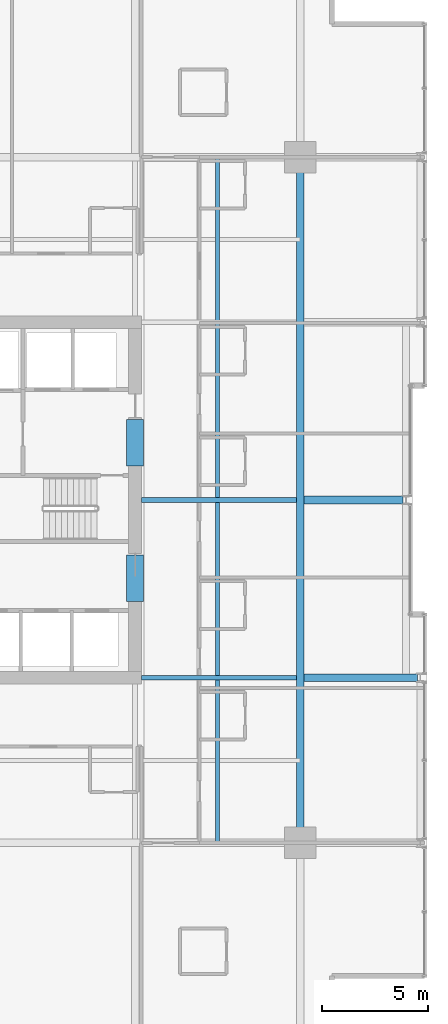
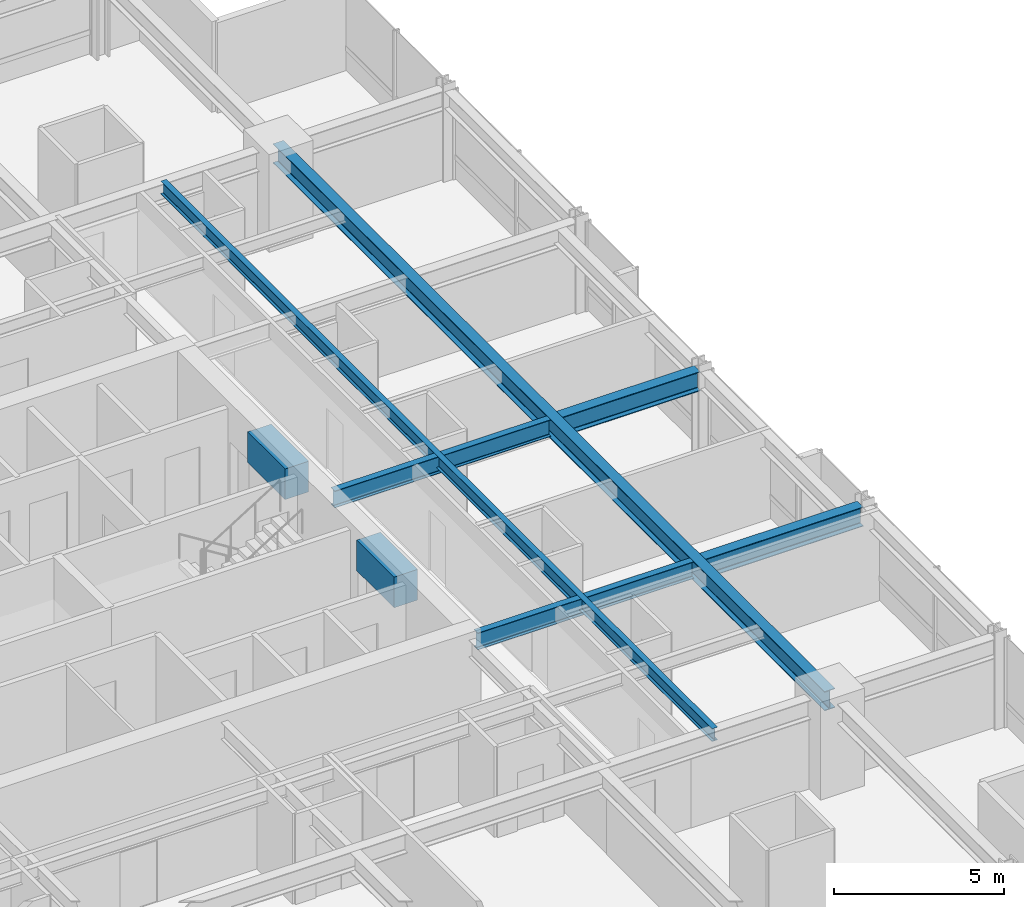
# One storey, part 14 of 35: 8 beams.
"""IFC4 building model written with IfcOpenShell, lengths in metres."""

from ifc_helpers import new_model, si_unit, direction, frame, origin, origin_2d, place, context, subcontext, project, spatial, rectangle, i_section, extrude, material, material_profile, profile_set, type_object, element, save


model = new_model("IFC4")

# Units and contexts
model_context = context("Model", 3, precision=1e-05, world=origin(), true_north=direction((0.0, 1.0)))
body_context = subcontext(model_context, "Body", "Model", "MODEL_VIEW")
ifc_project = project(units=[si_unit("LENGTHUNIT", "METRE"), si_unit("AREAUNIT", "SQUARE_METRE"), si_unit("VOLUMEUNIT", "CUBIC_METRE"), si_unit("PLANEANGLEUNIT", "RADIAN"), si_unit("MASSUNIT", "GRAM", prefix="KILO")], contexts=[model_context])

# Site, building, storey
site_placement = place(None, origin())
site = spatial("IfcSite", under=ifc_project, at=site_placement, CompositionType="ELEMENT")
building_placement = place(site_placement, origin())
building = spatial("IfcBuilding", under=site, at=building_placement, Name="Drelvath Grand Hotel", CompositionType="ELEMENT")
storey_placement = place(building_placement, frame((0.0, 0.0, 130.300048828125)))
storey = spatial("IfcBuildingStorey", under=building, at=storey_placement, Name="L33", CompositionType="ELEMENT", Elevation=130.300048828125)

# Beams
ifc_material_1 = material(Name="Steel ASTM A992 Gr 50", Category="steel")
ifc_material_profile_1 = material_profile(ifc_material_1, i_section(OverallWidth=0.19140625, OverallDepth=0.4599609375, WebThickness=0.010009765625, FlangeThickness=0.01611328125, FilletRadius=0.01611328125, at=origin_2d()), Name="W18X55")
ifc_profile_set_1 = profile_set([ifc_material_profile_1], Name="Steel ASTM A992 Gr 50")
beam_type_1 = type_object("IfcBeamType", Name="Composite Floor Joist W18X55", PredefinedType="JOIST", material=ifc_profile_set_1)
beam_1_placement = place(storey_placement, frame((12.300048828125, 10.800048828125, 3.010009765625), z_axis=(0.0, 1.0, 0.0), x_axis=(-1.0, 0.0, 0.0)))
element("IfcBeam", 1, at=beam_1_placement, inside=storey, type_object=beam_type_1, Name="L33 Wing Floor Joist J4", PredefinedType="JOIST", context=body_context, shape_type="SweptSolid", body=[
    extrude(i_section(OverallWidth=0.19140625, OverallDepth=0.4599609375, WebThickness=0.010009765625, FlangeThickness=0.01611328125, FilletRadius=0.01611328125, at=origin_2d()), origin(), (0.0, 0.0, 1.0), 32.39990234375),
])
ifc_material_2 = material(Name="Concrete f'c 70 MPa", Category="concrete")
ifc_material_profile_2 = material_profile(ifc_material_2, rectangle(XDim=0.800048828125, YDim=1.10009765625, at=origin_2d()), Name="CB800X1100")
ifc_profile_set_2 = profile_set([ifc_material_profile_2], Name="Concrete f'c 70 MPa")
beam_type_2 = type_object("IfcBeamType", Name="Core Coupling Lintel CB800X1100", PredefinedType="LINTEL", material=ifc_profile_set_2)
for number, where, z_axis, x_axis, name in (
    (2, (8.39990234375, 22.199951171875, 2.68994140625), (0.0, 1.0, 0.0), (-1.0, 0.0, 0.0), "L33 Core Coupling Lintel ES"),
    (3, (8.39990234375, 28.60009765625, 2.68994140625), (0.0, 1.0, 0.0), (-1.0, 0.0, 0.0), "L33 Core Coupling Lintel EN"),
):
    element("IfcBeam", number, at=place(storey_placement, frame(where, z_axis=z_axis, x_axis=x_axis)), inside=storey, type_object=beam_type_2, Name=name, PredefinedType="LINTEL", context=body_context, shape_type="SweptSolid", body=[
        extrude(rectangle(XDim=0.800048828125, YDim=1.10009765625, at=origin_2d()), origin(), (0.0, 0.0, 1.0), 2.199951171875),
    ])
ifc_material_profile_3 = material_profile(ifc_material_1, i_section(OverallWidth=0.228271484375, OverallDepth=0.607666015625, WebThickness=0.01123046875, FlangeThickness=0.017333984375, FilletRadius=0.02001953125, at=origin_2d()), Name="W24X76")
ifc_profile_set_3 = profile_set([ifc_material_profile_3], Name="Steel ASTM A992 Gr 50")
beam_type_3 = type_object("IfcBeamType", Name="Primary Floor Girder W24X76", PredefinedType="BEAM", material=ifc_profile_set_3)
for number, where, z_axis, x_axis, name in (
    (4, (8.699951171875, 18.60009765625, 2.93603515625), (1.0, 0.0, 0.0), (0.0, 1.0, 0.0), "L33 East Core Tie D"),
    (5, (8.699951171875, 27.0, 2.93603515625), (1.0, 0.0, 0.0), (0.0, 1.0, 0.0), "L33 East Core Tie E"),
):
    element("IfcBeam", number, at=place(storey_placement, frame(where, z_axis=z_axis, x_axis=x_axis)), inside=storey, type_object=beam_type_3, Name=name, PredefinedType="BEAM", context=body_context, shape_type="SweptSolid", body=[
        extrude(i_section(OverallWidth=0.228271484375, OverallDepth=0.607666015625, WebThickness=0.01123046875, FlangeThickness=0.017333984375, FilletRadius=0.02001953125, at=origin_2d()), origin(), (0.0, 0.0, 1.0), 7.32275390625),
    ])
ifc_material_profile_4 = material_profile(ifc_material_1, i_section(OverallWidth=0.354736328125, OverallDepth=0.695556640625, WebThickness=0.015380859375, FlangeThickness=0.025146484375, FilletRadius=0.02392578125, at=origin_2d()), Name="W27X146")
ifc_profile_set_4 = profile_set([ifc_material_profile_4], Name="Steel ASTM A992 Gr 50")
beam_type_4 = type_object("IfcBeamType", Name="Primary Floor Girder W27X146", PredefinedType="BEAM", material=ifc_profile_set_4)
beam_2_placement = place(storey_placement, frame((16.199951171875, 10.800048828125, 2.892333984375), z_axis=(0.0, 1.0, 0.0), x_axis=(-1.0, 0.0, 0.0)))
element("IfcBeam", 6, at=beam_2_placement, inside=storey, type_object=beam_type_4, Name="L33 Mega Ring Girder East", PredefinedType="BEAM", context=body_context, shape_type="SweptSolid", body=[
    extrude(i_section(OverallWidth=0.354736328125, OverallDepth=0.695556640625, WebThickness=0.015380859375, FlangeThickness=0.025146484375, FilletRadius=0.02392578125, at=origin_2d()), origin(), (0.0, 0.0, 1.0), 32.39990234375),
])
beam_3_placement = place(storey_placement, frame((16.37744140625, 18.60009765625, 2.892333984375), z_axis=(1.0, 0.0, 0.0), x_axis=(0.0, 1.0, 0.0)))
element("IfcBeam", 7, at=beam_3_placement, inside=storey, type_object=beam_type_4, Name="L33 East Wing Girder D", PredefinedType="BEAM", context=body_context, shape_type="SweptSolid", body=[
    extrude(i_section(OverallWidth=0.354736328125, OverallDepth=0.695556640625, WebThickness=0.015380859375, FlangeThickness=0.025146484375, FilletRadius=0.02392578125, at=origin_2d()), origin(), (0.0, 0.0, 1.0), 5.362548828125),
])
beam_4_placement = place(storey_placement, frame((16.37744140625, 27.0, 2.892333984375), z_axis=(1.0, 0.0, 0.0), x_axis=(0.0, 1.0, 0.0)))
element("IfcBeam", 8, at=beam_4_placement, inside=storey, type_object=beam_type_4, Name="L33 East Wing Girder E", PredefinedType="BEAM", context=body_context, shape_type="SweptSolid", body=[
    extrude(i_section(OverallWidth=0.354736328125, OverallDepth=0.695556640625, WebThickness=0.015380859375, FlangeThickness=0.025146484375, FilletRadius=0.02392578125, at=origin_2d()), origin(), (0.0, 0.0, 1.0), 4.6826171875),
])

save(model, "model.ifc")
